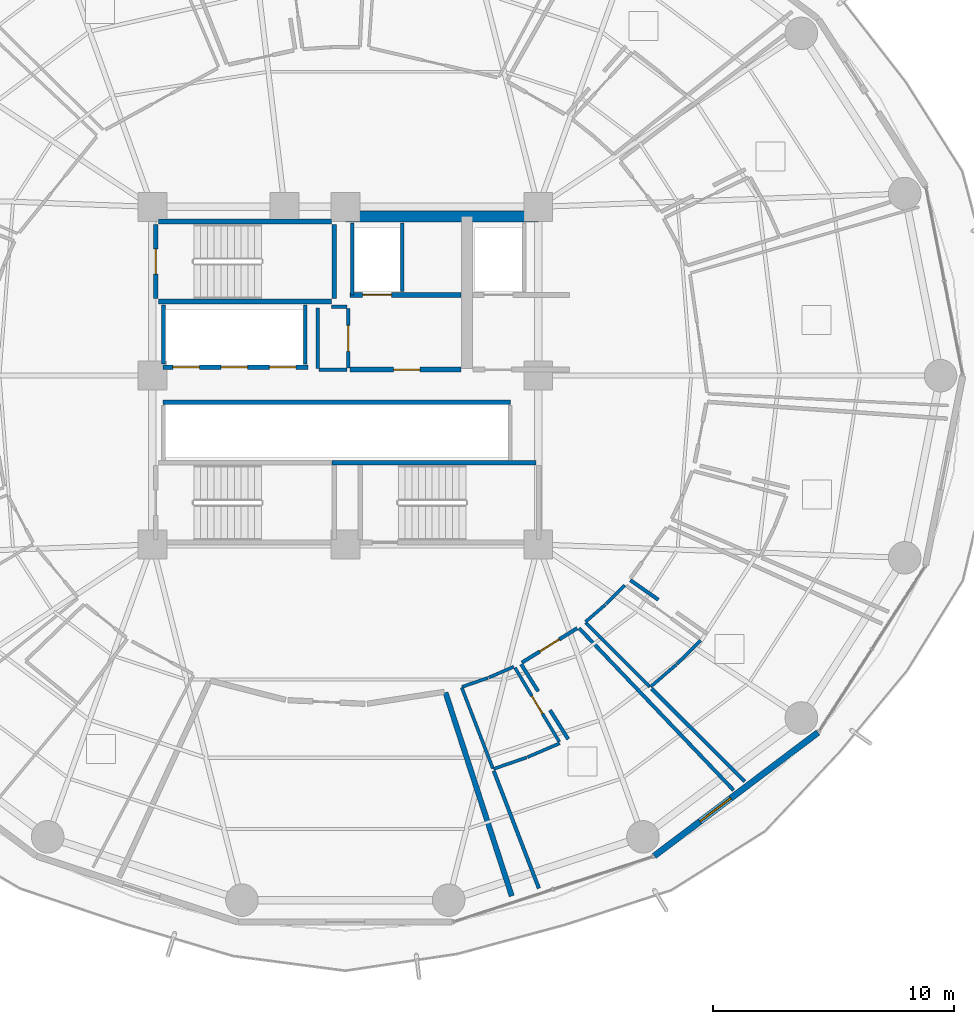
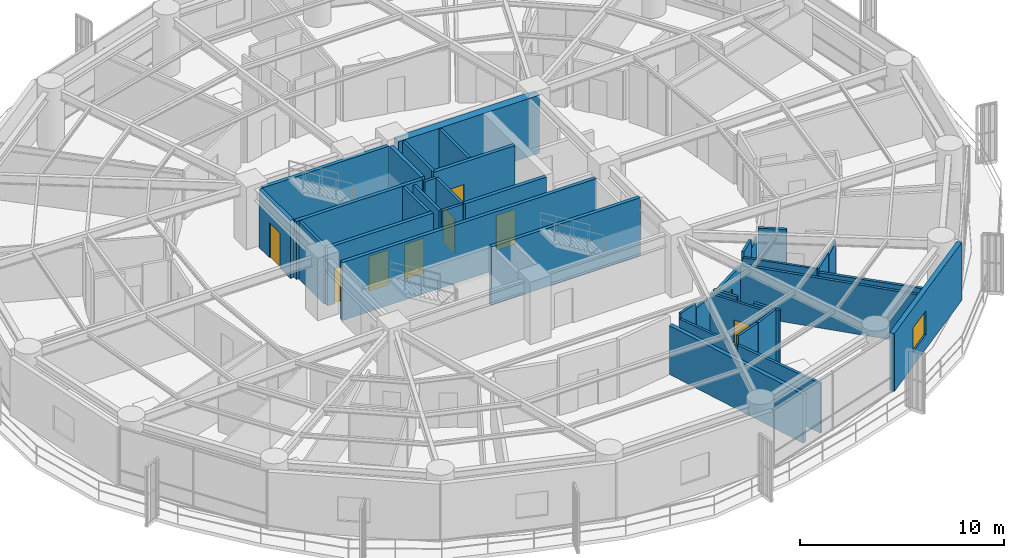
# One storey, part 30 of 37: 38 walls, 9 doors, 1 window, 10 openings.
"""IFC4 building model written with IfcOpenShell, lengths in metres."""

from ifc_helpers import new_model, si_unit, direction, frame, frame_2d, origin, place, context, subcontext, project, spatial, rectangle, extrude, material, layer, layer_set, type_object, element, fill, save


model = new_model("IFC4")

# Units and contexts
model_context = context("Model", 3, precision=1e-05, world=origin(), true_north=direction((0.0, 1.0)))
body_context = subcontext(model_context, "Body", "Model", "MODEL_VIEW")
ifc_project = project(units=[si_unit("LENGTHUNIT", "METRE"), si_unit("AREAUNIT", "SQUARE_METRE"), si_unit("VOLUMEUNIT", "CUBIC_METRE"), si_unit("PLANEANGLEUNIT", "RADIAN"), si_unit("MASSUNIT", "GRAM", prefix="KILO")], contexts=[model_context])

# Site, building, storey
site_placement = place(None, origin())
site = spatial("IfcSite", under=ifc_project, at=site_placement, CompositionType="ELEMENT")
building_placement = place(site_placement, origin())
building = spatial("IfcBuilding", under=site, at=building_placement, Name="Kelanora Arch Commons", CompositionType="ELEMENT")
storey_placement = place(building_placement, frame((0.0, 0.0, 110.10009765625)))
storey = spatial("IfcBuildingStorey", under=building, at=storey_placement, Name="L28", CompositionType="ELEMENT", Elevation=110.10009765625)

# Walls
ifc_material_1 = material(Name="Autoclaved aerated concrete blockwork with fire plaster", Category="masonry")
ifc_layer_1 = layer(ifc_material_1, 0.14990234375)
ifc_layer_set_1 = layer_set([ifc_layer_1], Name="Autoclaved aerated concrete blockwork with fire plaster")
wall_type_1 = type_object("IfcWallType", Name="W-COMP-150", PredefinedType="PARTITIONING", material=ifc_layer_set_1)
wall_1_placement = place(storey_placement, frame((74.280029296875, 61.35009765625, 0.0), z_axis=(0.0, 0.0, 1.0), x_axis=(0.0, 1.0, 0.0)))
element("IfcWall", 1, at=wall_1_placement, inside=storey, type_object=wall_type_1, Name="Firefighting Lift 1 West Shaft Wall L28", PredefinedType="PARTITIONING", context=body_context, shape_type="SweptSolid", body=[
    extrude(rectangle(XDim=2.969970703125, YDim=0.14990234375, at=frame_2d((1.48486328125, 0.0))), origin(), (0.0, 0.0, 1.0), 3.47998046875),
])
wall_2_placement = place(storey_placement, frame((76.360107421875, 61.47998046875, 0.0), z_axis=(0.0, 0.0, 1.0), x_axis=(0.0, 1.0, 0.0)))
element("IfcWall", 2, at=wall_2_placement, inside=storey, type_object=wall_type_1, Name="Firefighting Lift 1 East Shaft Wall L28", PredefinedType="PARTITIONING", context=body_context, shape_type="SweptSolid", body=[
    extrude(rectangle(XDim=2.840087890625, YDim=0.14990234375, at=frame_2d((1.419921875, 0.0))), origin(), (0.0, 0.0, 1.0), 3.47998046875),
])
for number, where, z_axis, x_axis, name in (
    (3, (66.4599609375, 58.47998046875, 0.0), (0.0, 0.0, 1.0), (0.0, 1.0, 0.0), "Low-Rise Lift Bank West Wall L28"),
    (4, (72.340087890625, 58.47998046875, 0.0), (0.0, 0.0, 1.0), (0.0, 1.0, 0.0), "Low-Rise Lift Bank East Wall L28"),
):
    element("IfcWall", number, at=place(storey_placement, frame(where, z_axis=z_axis, x_axis=x_axis)), inside=storey, type_object=wall_type_1, Name=name, PredefinedType="PARTITIONING", context=body_context, shape_type="SweptSolid", body=[
        extrude(rectangle(XDim=2.4599609375, YDim=0.14990234375, at=frame_2d((1.22998046875, 0.0))), origin(), (0.0, 0.0, 1.0), 3.47998046875),
    ])

# Wall, opening, door
wall_3_placement = place(storey_placement, frame((74.1201171875, 58.31005859375, 0.0), z_axis=(0.0, 0.0, 1.0), x_axis=(0.0, 1.0, 0.0)))
wall_3 = element("IfcWall", 5, at=wall_3_placement, inside=storey, type_object=wall_type_1, Name="Core Linen Supply Store L28 Entry Partition", PredefinedType="PARTITIONING", context=body_context, shape_type="SweptSolid", body=[
    extrude(rectangle(XDim=2.47998046875, YDim=0.14990234375, at=frame_2d((1.239990234375, 0.0))), origin(), (0.0, 0.0, 1.0), 3.47998046875),
])
opening_1_placement = place(wall_3_placement, frame((0.699951171875, 0.0, 0.0)))
opening_1 = element("IfcOpeningElement", 6, at=opening_1_placement, cuts=wall_3, Name="Opening D-PLT1", PredefinedType="OPENING", context=body_context, shape_type="SweptSolid", body=[
    extrude(rectangle(XDim=1.080078125, YDim=2.10009765625, at=frame_2d((0.5400390625, 1.050048828125))), frame((0.0, 0.0849609375, 0.0), z_axis=(0.0, -1.0, 0.0), x_axis=(1.0, 0.0, 0.0)), (0.0, 0.0, 1.0), 0.169921875),
])
ifc_material_2 = material(Name="Galvanised steel plant and riser fire door", Category="steel")
door_type_1 = type_object("IfcDoorType", Name="D-PLT-110", OperationType="NOTDEFINED", PredefinedType="DOOR", material=ifc_material_2)
door_1_placement = place(opening_1_placement, origin())
door_1 = element("IfcDoor", 7, at=door_1_placement, inside=storey, type_object=door_type_1, Name="Core Linen Supply Store L28 Door", OperationType="SINGLE_SWING_RIGHT", OverallHeight=2.10009765625, OverallWidth=1.080078125, PredefinedType="DOOR", context=body_context, shape_type="SweptSolid", body=[
    extrude(rectangle(XDim=1.080078125, YDim=2.10009765625, at=frame_2d((0.5400390625, 1.050048828125))), frame((0.0, 0.02490234375, 0.0), z_axis=(0.0, -1.0, 0.0), x_axis=(1.0, 0.0, 0.0)), (0.0, 0.0, 1.0), 0.050048828125),
])
fill(opening_1, door_1)

wall_4_placement = place(storey_placement, frame((81.32080078125, 46.102783203125, 0.0), z_axis=(0.0, 0.0, 1.0), x_axis=(0.849017842519, 0.528364176572, 0.0)))
wall_4 = element("IfcWall", 8, at=wall_4_placement, inside=storey, type_object=wall_type_1, Name="Co-Living Studio L28-01 Entry Partition", PredefinedType="PARTITIONING", context=body_context, shape_type="SweptSolid", body=[
    extrude(rectangle(XDim=2.699951171875, YDim=0.14990234375, at=frame_2d((1.35009765625, 0.0))), origin(), (0.0, 0.0, 1.0), 2.9248046875),
])
opening_2_placement = place(wall_4_placement, frame((0.875, 0.0, 0.0)))
opening_2 = element("IfcOpeningElement", 9, at=opening_2_placement, cuts=wall_4, Name="Opening D-CLU1", PredefinedType="OPENING", context=body_context, shape_type="SweptSolid", body=[
    extrude(rectangle(XDim=0.949951171875, YDim=2.080078125, at=frame_2d((0.47509765625, 1.0400390625))), frame((0.0, 0.0849609375, 0.0), z_axis=(0.0, -1.0, 0.0), x_axis=(1.0, 0.0, 0.0)), (0.0, 0.0, 1.0), 0.169921875),
])
ifc_material_3 = material(Name="Solid-core acoustic timber cluster entry fire door", Category="wood")
door_type_2 = type_object("IfcDoorType", Name="D-CLU-95", OperationType="NOTDEFINED", PredefinedType="DOOR", material=ifc_material_3)
door_2_placement = place(opening_2_placement, origin())
door_2 = element("IfcDoor", 10, at=door_2_placement, inside=storey, type_object=door_type_2, Name="Co-Living Studio L28-01 Door", OperationType="SINGLE_SWING_LEFT", OverallHeight=2.080078125, OverallWidth=0.949951171875, PredefinedType="DOOR", context=body_context, shape_type="SweptSolid", body=[
    extrude(rectangle(XDim=0.949951171875, YDim=2.080078125, at=frame_2d((0.47509765625, 1.0400390625))), frame((0.0, 0.02490234375, 0.0), z_axis=(0.0, -1.0, 0.0), x_axis=(1.0, 0.0, 0.0)), (0.0, 0.0, 1.0), 0.050048828125),
])
fill(opening_2, door_2)

# Walls
wall_5_placement = place(storey_placement, frame((72.89990234375, 58.25, 0.0), z_axis=(0.0, 0.0, 1.0), x_axis=(1.0, 0.0, 0.0)))
element("IfcWall", 11, at=wall_5_placement, inside=storey, type_object=wall_type_1, Name="Core Linen Supply Store L28 Enclosure Partition 1", PredefinedType="PARTITIONING", context=body_context, shape_type="SweptSolid", body=[
    extrude(rectangle(XDim=1.18017578125, YDim=0.14990234375, at=frame_2d((0.590087890625, 0.0))), origin(), (0.0, 0.0, 1.0), 3.47998046875),
])
wall_6_placement = place(storey_placement, frame((74.080078125, 60.85009765625, 0.0), z_axis=(0.0, 0.0, 1.0), x_axis=(-1.0, 0.0, 0.0)))
element("IfcWall", 12, at=wall_6_placement, inside=storey, type_object=wall_type_1, Name="Core Linen Supply Store L28 Enclosure Partition 3", PredefinedType="PARTITIONING", context=body_context, shape_type="SweptSolid", body=[
    extrude(rectangle(XDim=0.66015625, YDim=0.14990234375, at=frame_2d((0.330078125, 0.0))), origin(), (0.0, 0.0, 1.0), 3.47998046875),
])
wall_7_placement = place(storey_placement, frame((72.860107421875, 60.81005859375, 0.0), z_axis=(0.0, 0.0, 1.0), x_axis=(0.0, -1.0, 0.0)))
element("IfcWall", 13, at=wall_7_placement, inside=storey, type_object=wall_type_1, Name="Core Linen Supply Store L28 Enclosure Partition 4", PredefinedType="PARTITIONING", context=body_context, shape_type="SweptSolid", body=[
    extrude(rectangle(XDim=2.52001953125, YDim=0.14990234375, at=frame_2d((1.260009765625, 0.0))), origin(), (0.0, 0.0, 1.0), 3.47998046875),
])
wall_8_placement = place(storey_placement, frame((83.691650390625, 47.531982421875, 0.0), z_axis=(0.0, 0.0, 1.0), x_axis=(0.690037215828, -0.723773887877, 0.0)))
element("IfcWall", 14, at=wall_8_placement, inside=storey, type_object=wall_type_1, Name="Co-Living Studio L28-01 Enclosure Partition 2", PredefinedType="PARTITIONING", context=body_context, shape_type="SweptSolid", body=[
    extrude(rectangle(XDim=9.28466796875, YDim=0.14990234375, at=frame_2d((4.642333984375, 0.0))), origin(), (0.0, 0.0, 1.0), 2.974853515625),
])
wall_9_placement = place(storey_placement, frame((82.026611328125, 36.744384765625, 0.0), z_axis=(0.0, 0.0, 1.0), x_axis=(-0.358828576498, 0.933403477971, 0.0)))
element("IfcWall", 15, at=wall_9_placement, inside=storey, type_object=wall_type_1, Name="Co-Living Studio L28-01 Enclosure Partition 5", PredefinedType="PARTITIONING", context=body_context, shape_type="SweptSolid", body=[
    extrude(rectangle(XDim=5.2177734375, YDim=0.14990234375, at=frame_2d((2.60888671875, 0.0))), origin(), (0.0, 0.0, 1.0), 2.974853515625),
])
wall_10_placement = place(storey_placement, frame((83.24169921875, 42.927978515625, 0.0), z_axis=(0.0, 0.0, 1.0), x_axis=(-0.531370409895, 0.847139591501, 0.0)))
element("IfcWall", 16, at=wall_10_placement, inside=storey, type_object=wall_type_1, Name="Co-Living Studio L28-01 Enclosure Partition 7", PredefinedType="PARTITIONING", context=body_context, shape_type="SweptSolid", body=[
    extrude(rectangle(XDim=1.42333984375, YDim=0.14990234375, at=frame_2d((0.711669921875, 0.0))), origin(), (0.0, 0.0, 1.0), 3.1748046875),
])
wall_11_placement = place(storey_placement, frame((81.996337890625, 44.9130859375, 0.0), z_axis=(0.0, 0.0, 1.0), x_axis=(-0.53138752038, 0.847128858666, 0.0)))
element("IfcWall", 17, at=wall_11_placement, inside=storey, type_object=wall_type_1, Name="Co-Living Studio L28-01 Enclosure Partition 7", PredefinedType="PARTITIONING", context=body_context, shape_type="SweptSolid", body=[
    extrude(rectangle(XDim=1.326904296875, YDim=0.14990234375, at=frame_2d((0.66357421875, 0.0))), origin(), (0.0, 0.0, 1.0), 3.23486328125),
])
wall_12_placement = place(storey_placement, frame((90.561767578125, 41.169189453125, 0.0), z_axis=(0.0, 0.0, 1.0), x_axis=(-0.707642907914, 0.706570247661, 0.0)))
element("IfcWall", 18, at=wall_12_placement, inside=storey, type_object=wall_type_1, Name="Co-Living Studio L28-02 Enclosure Partition 5", PredefinedType="PARTITIONING", context=body_context, shape_type="SweptSolid", body=[
    extrude(rectangle(XDim=5.46240234375, YDim=0.14990234375, at=frame_2d((2.731201171875, 0.0))), origin(), (0.0, 0.0, 1.0), 2.974853515625),
])
wall_13_placement = place(storey_placement, frame((86.97998046875, 48.709716796875, 0.0), z_axis=(0.0, 0.0, 1.0), x_axis=(-0.820381002298, 0.571817288187, 0.0)))
element("IfcWall", 19, at=wall_13_placement, inside=storey, type_object=wall_type_1, Name="Co-Living Studio L28-02 Enclosure Partition 7", PredefinedType="PARTITIONING", context=body_context, shape_type="SweptSolid", body=[
    extrude(rectangle(XDim=1.415283203125, YDim=0.14990234375, at=frame_2d((0.70751953125, 0.0))), origin(), (0.0, 0.0, 1.0), 3.23486328125),
])
ifc_material_4 = material(Name="Concrete C60/75", Category="concrete")
ifc_layer_2 = layer(ifc_material_4, 0.449951171875)
ifc_layer_set_2 = layer_set([ifc_layer_2], Name="Concrete C60/75")
wall_type_2 = type_object("IfcWallType", Name="W-CORE-450", PredefinedType="SHEAR", material=ifc_layer_set_2)
wall_14_placement = place(storey_placement, frame((74.0, 64.60009765625, 0.0), z_axis=(0.0, 0.0, 1.0), x_axis=(1.0, 0.0, 0.0)))
element("IfcWall", 20, at=wall_14_placement, inside=storey, type_object=wall_type_2, Name="Core Shear Spine L28-CN-E", PredefinedType="SHEAR", context=body_context, shape_type="SweptSolid", body=[
    extrude(rectangle(XDim=8.0, YDim=0.449951171875, at=frame_2d((4.0, 0.0))), origin(), (0.0, 0.0, 1.0), 3.489990234375),
])

# Wall, opening, window
ifc_material_5 = material(Name="Precast concrete C40/50 with terracotta rainscreen", Category="masonry")
ifc_layer_3 = layer(ifc_material_5, 0.260009765625)
ifc_layer_set_3 = layer_set([ifc_layer_3], Name="Precast concrete C40/50 with terracotta rainscreen")
wall_type_3 = type_object("IfcWallType", Name="W-EXT-TC", PredefinedType="SOLIDWALL", material=ifc_layer_set_3)
wall_15_placement = place(storey_placement, frame((86.81201171875, 38.09033203125, 0.0), z_axis=(0.0, 0.0, 1.0), x_axis=(0.798501507879, 0.601992808857, 0.0)))
wall_15 = element("IfcWall", 21, at=wall_15_placement, inside=storey, type_object=wall_type_3, Name="Terracotta Exterior Wall L28-B15", PredefinedType="SOLIDWALL", context=body_context, shape_type="SweptSolid", body=[
    extrude(rectangle(XDim=8.499267578125, YDim=0.260009765625, at=frame_2d((4.24951171875, 0.0))), origin(), (0.0, 0.0, 1.0), 3.474853515625),
])
opening_3_placement = place(wall_15_placement, frame((2.3701171875, 0.0, 0.85009765625)))
opening_3 = element("IfcOpeningElement", 22, at=opening_3_placement, cuts=wall_15, Name="Opening WN-01", PredefinedType="OPENING", context=body_context, shape_type="SweptSolid", body=[
    extrude(rectangle(XDim=1.60009765625, YDim=1.449951171875, at=frame_2d((0.800048828125, 0.72509765625))), frame((0.0, 0.14013671875, 0.0), z_axis=(0.0, -1.0, 0.0), x_axis=(1.0, 0.0, 0.0)), (0.0, 0.0, 1.0), 0.280029296875),
])
ifc_material_6 = material(Name="Terracotta-anodised aluminium frame with operable low-E glazing", Category="masonry")
window_type = type_object("IfcWindowType", Name="WIN-CL-18", PartitioningType="DOUBLE_PANEL_VERTICAL", PredefinedType="WINDOW", material=ifc_material_6)
window_placement = place(opening_3_placement, origin())
window = element("IfcWindow", 23, at=window_placement, inside=storey, type_object=window_type, Name="Co-Living Operable Window L28-B15", OverallHeight=1.449951171875, OverallWidth=1.60009765625, PartitioningType="SINGLE_PANEL", PredefinedType="WINDOW", context=body_context, shape_type="SweptSolid", body=[
    extrude(rectangle(XDim=1.60009765625, YDim=1.449951171875, at=frame_2d((0.800048828125, 0.72509765625))), frame((0.0, 0.030029296875, 0.0), z_axis=(0.0, -1.0, 0.0), x_axis=(1.0, 0.0, 0.0)), (0.0, 0.0, 1.0), 0.06005859375),
])
fill(opening_3, window)

# Wall, opening, door
ifc_material_7 = material(Name="Concrete C40/50", Category="concrete")
ifc_layer_4 = layer(ifc_material_7, 0.199951171875)
ifc_layer_set_4 = layer_set([ifc_layer_4], Name="Concrete C40/50")
wall_type_4 = type_object("IfcWallType", Name="W-FFL-200", PredefinedType="SOLIDWALL", material=ifc_layer_set_4)
wall_16_placement = place(storey_placement, frame((74.199951171875, 61.35009765625, 0.0), z_axis=(0.0, 0.0, 1.0), x_axis=(1.0, 0.0, 0.0)))
wall_16 = element("IfcWall", 24, at=wall_16_placement, inside=storey, type_object=wall_type_4, Name="Firefighting Lift 1 Shaft Front L28", PredefinedType="SOLIDWALL", context=body_context, shape_type="SweptSolid", body=[
    extrude(rectangle(XDim=4.60009765625, YDim=0.199951171875, at=frame_2d((2.300048828125, 0.0))), origin(), (0.0, 0.0, 1.0), 3.47998046875),
])
opening_4_placement = place(wall_16_placement, frame((0.52001953125, 0.0, 0.0)))
opening_4 = element("IfcOpeningElement", 25, at=opening_4_placement, cuts=wall_16, Name="Opening LD-FF", PredefinedType="OPENING", context=body_context, shape_type="SweptSolid", body=[
    extrude(rectangle(XDim=1.199951171875, YDim=2.14990234375, at=frame_2d((0.60009765625, 1.074951171875))), frame((0.0, 0.10986328125, 0.0), z_axis=(0.0, -1.0, 0.0), x_axis=(1.0, 0.0, 0.0)), (0.0, 0.0, 1.0), 0.219970703125),
])
ifc_material_8 = material(Name="Fire-rated firefighters lift sliding landing door")
door_type_3 = type_object("IfcDoorType", Name="D-LIFT-FF", OperationType="NOTDEFINED", PredefinedType="DOOR", material=ifc_material_8)
door_3_placement = place(opening_4_placement, origin())
door_3 = element("IfcDoor", 26, at=door_3_placement, inside=storey, type_object=door_type_3, Name="Firefighting Lift LF-FF1 Landing Door L28", OperationType="DOUBLE_DOOR_SLIDING", OverallHeight=2.14990234375, OverallWidth=1.199951171875, PredefinedType="DOOR", context=body_context, shape_type="SweptSolid", body=[
    extrude(rectangle(XDim=1.199951171875, YDim=2.14990234375, at=frame_2d((0.60009765625, 1.074951171875))), frame((0.0, 0.02490234375, 0.0), z_axis=(0.0, -1.0, 0.0), x_axis=(1.0, 0.0, 0.0)), (0.0, 0.0, 1.0), 0.050048828125),
])
fill(opening_4, door_3)

wall_17_placement = place(storey_placement, frame((74.199951171875, 58.25, 0.0), z_axis=(0.0, 0.0, 1.0), x_axis=(1.0, 0.0, 0.0)))
wall_17 = element("IfcWall", 27, at=wall_17_placement, inside=storey, type_object=wall_type_4, Name="Firefighting Lobby 1 Enclosure Wall L28", PredefinedType="SOLIDWALL", context=body_context, shape_type="SweptSolid", body=[
    extrude(rectangle(XDim=4.60009765625, YDim=0.199951171875, at=frame_2d((2.300048828125, 0.0))), origin(), (0.0, 0.0, 1.0), 3.47998046875),
])
opening_5_placement = place(wall_17_placement, frame((1.800048828125, 0.0, 0.0)))
opening_5 = element("IfcOpeningElement", 28, at=opening_5_placement, cuts=wall_17, Name="Opening D-FFL1", PredefinedType="OPENING", context=body_context, shape_type="SweptSolid", body=[
    extrude(rectangle(XDim=1.10009765625, YDim=2.10009765625, at=frame_2d((0.550048828125, 1.050048828125))), frame((0.0, 0.10986328125, 0.0), z_axis=(0.0, -1.0, 0.0), x_axis=(1.0, 0.0, 0.0)), (0.0, 0.0, 1.0), 0.219970703125),
])
ifc_material_9 = material(Name="Smoke-sealed firefighting lobby fire door")
door_type_4 = type_object("IfcDoorType", Name="D-FFL-110", OperationType="NOTDEFINED", PredefinedType="DOOR", material=ifc_material_9)
door_4_placement = place(opening_5_placement, frame((1.10009765625, 0.0, 0.0), z_axis=(0.0, 0.0, 1.0), x_axis=(-1.0, 0.0, 0.0)))
door_4 = element("IfcDoor", 29, at=door_4_placement, inside=storey, type_object=door_type_4, Name="Firefighting Lobby 1 Door L28", OperationType="SINGLE_SWING_LEFT", OverallHeight=2.10009765625, OverallWidth=1.10009765625, PredefinedType="DOOR", context=body_context, shape_type="SweptSolid", body=[
    extrude(rectangle(XDim=1.10009765625, YDim=2.10009765625, at=frame_2d((0.550048828125, 1.050048828125))), frame((0.0, 0.02490234375, 0.0), z_axis=(0.0, -1.0, 0.0), x_axis=(1.0, 0.0, 0.0)), (0.0, 0.0, 1.0), 0.050048828125),
])
fill(opening_5, door_4)

# Wall, openings, doors
wall_18_placement = place(storey_placement, frame((66.449951171875, 58.35009765625, 0.0), z_axis=(0.0, 0.0, 1.0), x_axis=(1.0, 0.0, 0.0)))
wall_18 = element("IfcWall", 30, at=wall_18_placement, inside=storey, type_object=wall_type_4, Name="Low-Rise Passenger Lift Shaft Front L28", PredefinedType="SOLIDWALL", context=body_context, shape_type="SweptSolid", body=[
    extrude(rectangle(XDim=6.0, YDim=0.199951171875, at=frame_2d((3.0, 0.0))), origin(), (0.0, 0.0, 1.0), 3.47998046875),
])
opening_6_placement = place(wall_18_placement, frame((0.39990234375, 0.0, 0.0)))
opening_6 = element("IfcOpeningElement", 31, at=opening_6_placement, cuts=wall_18, Name="Opening LD-01", PredefinedType="OPENING", context=body_context, shape_type="SweptSolid", body=[
    extrude(rectangle(XDim=1.10009765625, YDim=2.10009765625, at=frame_2d((0.550048828125, 1.050048828125))), frame((0.0, 0.10986328125, 0.0), z_axis=(0.0, -1.0, 0.0), x_axis=(1.0, 0.0, 0.0)), (0.0, 0.0, 1.0), 0.219970703125),
])
opening_7_placement = place(wall_18_placement, frame((2.39990234375, 0.0, 0.0)))
opening_7 = element("IfcOpeningElement", 32, at=opening_7_placement, cuts=wall_18, Name="Opening LD-01", PredefinedType="OPENING", context=body_context, shape_type="SweptSolid", body=[
    extrude(rectangle(XDim=1.10009765625, YDim=2.10009765625, at=frame_2d((0.550048828125, 1.050048828125))), frame((0.0, 0.10986328125, 0.0), z_axis=(0.0, -1.0, 0.0), x_axis=(1.0, 0.0, 0.0)), (0.0, 0.0, 1.0), 0.219970703125),
])
opening_8_placement = place(wall_18_placement, frame((4.39990234375, 0.0, 0.0)))
opening_8 = element("IfcOpeningElement", 33, at=opening_8_placement, cuts=wall_18, Name="Opening LD-01", PredefinedType="OPENING", context=body_context, shape_type="SweptSolid", body=[
    extrude(rectangle(XDim=1.10009765625, YDim=2.10009765625, at=frame_2d((0.550048828125, 1.050048828125))), frame((0.0, 0.10986328125, 0.0), z_axis=(0.0, -1.0, 0.0), x_axis=(1.0, 0.0, 0.0)), (0.0, 0.0, 1.0), 0.219970703125),
])
ifc_material_10 = material(Name="Stainless steel passenger lift sliding landing door", Category="steel")
door_type_5 = type_object("IfcDoorType", Name="D-LIFT-110", OperationType="NOTDEFINED", PredefinedType="DOOR", material=ifc_material_10)
door_5_placement = place(opening_6_placement, origin())
door_5 = element("IfcDoor", 34, at=door_5_placement, inside=storey, type_object=door_type_5, Name="Passenger Lift LF-P1 Landing Door L28", OperationType="DOUBLE_DOOR_SLIDING", OverallHeight=2.10009765625, OverallWidth=1.10009765625, PredefinedType="DOOR", context=body_context, shape_type="SweptSolid", body=[
    extrude(rectangle(XDim=1.10009765625, YDim=2.10009765625, at=frame_2d((0.550048828125, 1.050048828125))), frame((0.0, 0.02490234375, 0.0), z_axis=(0.0, -1.0, 0.0), x_axis=(1.0, 0.0, 0.0)), (0.0, 0.0, 1.0), 0.050048828125),
])
fill(opening_6, door_5)
door_6_placement = place(opening_7_placement, origin())
door_6 = element("IfcDoor", 35, at=door_6_placement, inside=storey, type_object=door_type_5, Name="Passenger Lift LF-P2 Landing Door L28", OperationType="DOUBLE_DOOR_SLIDING", OverallHeight=2.10009765625, OverallWidth=1.10009765625, PredefinedType="DOOR", context=body_context, shape_type="SweptSolid", body=[
    extrude(rectangle(XDim=1.10009765625, YDim=2.10009765625, at=frame_2d((0.550048828125, 1.050048828125))), frame((0.0, 0.02490234375, 0.0), z_axis=(0.0, -1.0, 0.0), x_axis=(1.0, 0.0, 0.0)), (0.0, 0.0, 1.0), 0.050048828125),
])
fill(opening_7, door_6)
door_7_placement = place(opening_8_placement, origin())
door_7 = element("IfcDoor", 36, at=door_7_placement, inside=storey, type_object=door_type_5, Name="Passenger Lift LF-P3 Landing Door L28", OperationType="DOUBLE_DOOR_SLIDING", OverallHeight=2.10009765625, OverallWidth=1.10009765625, PredefinedType="DOOR", context=body_context, shape_type="SweptSolid", body=[
    extrude(rectangle(XDim=1.10009765625, YDim=2.10009765625, at=frame_2d((0.550048828125, 1.050048828125))), frame((0.0, 0.02490234375, 0.0), z_axis=(0.0, -1.0, 0.0), x_axis=(1.0, 0.0, 0.0)), (0.0, 0.0, 1.0), 0.050048828125),
])
fill(opening_8, door_7)

# Walls
wall_19_placement = place(storey_placement, frame((66.449951171875, 56.89990234375, 0.0), z_axis=(0.0, 0.0, 1.0), x_axis=(1.0, 0.0, 0.0)))
element("IfcWall", 37, at=wall_19_placement, inside=storey, type_object=wall_type_4, Name="Mid/High/Express Lift Shaft Front L28", PredefinedType="SOLIDWALL", context=body_context, shape_type="SweptSolid", body=[
    extrude(rectangle(XDim=14.400146484375, YDim=0.199951171875, at=frame_2d((7.2001953125, 0.0))), origin(), (0.0, 0.0, 1.0), 3.47998046875),
])
ifc_layer_5 = layer(ifc_material_7, 0.219970703125)
ifc_layer_set_5 = layer_set([ifc_layer_5], Name="Concrete C40/50")
wall_type_5 = type_object("IfcWallType", Name="W-REF-200", PredefinedType="SOLIDWALL", material=ifc_layer_set_5)
wall_20_placement = place(storey_placement, frame((78.155517578125, 44.860107421875, 0.0), z_axis=(0.0, 0.0, 1.0), x_axis=(0.309595310809, -0.950868415463, 0.0)))
element("IfcWall", 38, at=wall_20_placement, inside=storey, type_object=wall_type_5, Name="Two-Hour Fire Refuge Holding Room L28 Enclosure Partition 4", PredefinedType="SOLIDWALL", context=body_context, shape_type="SweptSolid", body=[
    extrude(rectangle(XDim=8.86669921875, YDim=0.219970703125, at=frame_2d((4.433349609375, 0.0))), origin(), (0.0, 0.0, 1.0), 2.9248046875),
])
ifc_layer_6 = layer(ifc_material_7, 0.199951171875)
ifc_layer_set_6 = layer_set([ifc_layer_6], Name="Concrete C40/50")
wall_type_6 = type_object("IfcWallType", Name="W-STAIR-200", PredefinedType="SHEAR", material=ifc_layer_set_6)
wall_21_placement = place(storey_placement, frame((66.260009765625, 61.080078125, 0.0), z_axis=(0.0, 0.0, 1.0), x_axis=(1.0, 0.0, 0.0)))
element("IfcWall", 39, at=wall_21_placement, inside=storey, type_object=wall_type_6, Name="Stair ST-T1 Shaft Wall S L28", PredefinedType="SHEAR", context=body_context, shape_type="SweptSolid", body=[
    extrude(rectangle(XDim=7.159912109375, YDim=0.199951171875, at=frame_2d((3.580078125, 0.0))), origin(), (0.0, 0.0, 1.0), 3.489990234375),
])
wall_22_placement = place(storey_placement, frame((73.5400390625, 61.199951171875, 0.0), z_axis=(0.0, 0.0, 1.0), x_axis=(0.0, 1.0, 0.0)))
element("IfcWall", 40, at=wall_22_placement, inside=storey, type_object=wall_type_6, Name="Stair ST-T1 Shaft Wall E L28", PredefinedType="SHEAR", context=body_context, shape_type="SweptSolid", body=[
    extrude(rectangle(XDim=3.070068359375, YDim=0.199951171875, at=frame_2d((1.53515625, 0.0))), origin(), (0.0, 0.0, 1.0), 3.489990234375),
])
wall_23_placement = place(storey_placement, frame((73.419921875, 64.389892578125, 0.0), z_axis=(0.0, 0.0, 1.0), x_axis=(-1.0, 0.0, 0.0)))
element("IfcWall", 41, at=wall_23_placement, inside=storey, type_object=wall_type_6, Name="Stair ST-T1 Shaft Wall N L28", PredefinedType="SHEAR", context=body_context, shape_type="SweptSolid", body=[
    extrude(rectangle(XDim=7.159912109375, YDim=0.199951171875, at=frame_2d((3.580078125, 0.0))), origin(), (0.0, 0.0, 1.0), 3.489990234375),
])

# Wall, opening, door
wall_24_placement = place(storey_placement, frame((66.139892578125, 64.27001953125, 0.0), z_axis=(0.0, 0.0, 1.0), x_axis=(0.0, -1.0, 0.0)))
wall_24 = element("IfcWall", 42, at=wall_24_placement, inside=storey, type_object=wall_type_6, Name="Stair ST-T1 Shaft Wall W L28", PredefinedType="SHEAR", context=body_context, shape_type="SweptSolid", body=[
    extrude(rectangle(XDim=3.070068359375, YDim=0.199951171875, at=frame_2d((1.53515625, 0.0))), origin(), (0.0, 0.0, 1.0), 3.489990234375),
])
opening_9_placement = place(wall_24_placement, frame((1.010009765625, 0.0, 0.0)))
opening_9 = element("IfcOpeningElement", 43, at=opening_9_placement, cuts=wall_24, Name="Opening D-ST1", PredefinedType="OPENING", context=body_context, shape_type="SweptSolid", body=[
    extrude(rectangle(XDim=1.050048828125, YDim=2.10009765625, at=frame_2d((0.52490234375, 1.050048828125))), frame((0.0, 0.10986328125, 0.0), z_axis=(0.0, -1.0, 0.0), x_axis=(1.0, 0.0, 0.0)), (0.0, 0.0, 1.0), 0.219970703125),
])
ifc_material_11 = material(Name="Steel fire-rated stairwell escape door", Category="steel")
door_type_6 = type_object("IfcDoorType", Name="D-STAIR-110", OperationType="NOTDEFINED", PredefinedType="DOOR", material=ifc_material_11)
door_8_placement = place(opening_9_placement, origin())
door_8 = element("IfcDoor", 44, at=door_8_placement, inside=storey, type_object=door_type_6, Name="Stair ST-T1 Escape Door L28", OperationType="SINGLE_SWING_LEFT", OverallHeight=2.10009765625, OverallWidth=1.050048828125, PredefinedType="DOOR", context=body_context, shape_type="SweptSolid", body=[
    extrude(rectangle(XDim=1.050048828125, YDim=2.10009765625, at=frame_2d((0.52490234375, 1.050048828125))), frame((0.0, 0.02490234375, 0.0), z_axis=(0.0, -1.0, 0.0), x_axis=(1.0, 0.0, 0.0)), (0.0, 0.0, 1.0), 0.050048828125),
])
fill(opening_9, door_8)

# Wall
wall_25_placement = place(storey_placement, frame((81.89990234375, 54.389892578125, 0.0), z_axis=(0.0, 0.0, 1.0), x_axis=(-1.0, 0.0, 0.0)))
element("IfcWall", 45, at=wall_25_placement, inside=storey, type_object=wall_type_6, Name="Stair ST-T2 Shaft Wall N L28", PredefinedType="SHEAR", context=body_context, shape_type="SweptSolid", body=[
    extrude(rectangle(XDim=8.4599609375, YDim=0.199951171875, at=frame_2d((4.22998046875, 0.0))), origin(), (0.0, 0.0, 1.0), 3.489990234375),
])

# Wall, opening, door
ifc_material_12 = material(Name="Moisture-resistant fire-rated cement-board plumbing wall")
ifc_layer_7 = layer(ifc_material_12, 0.1298828125)
ifc_layer_set_7 = layer_set([ifc_layer_7], Name="Moisture-resistant fire-rated cement-board plumbing wall")
wall_type_7 = type_object("IfcWallType", Name="W-WET-120", PredefinedType="PLUMBINGWALL", material=ifc_layer_set_7)
wall_26_placement = place(storey_placement, frame((81.035888671875, 45.889404296875, 0.0), z_axis=(0.0, 0.0, 1.0), x_axis=(0.513583206277, -0.858039795249, 0.0)))
wall_26 = element("IfcWall", 46, at=wall_26_placement, inside=storey, type_object=wall_type_7, Name="En-Suite Shower WC L28-01 Entry Partition", PredefinedType="PLUMBINGWALL", context=body_context, shape_type="SweptSolid", body=[
    extrude(rectangle(XDim=3.581298828125, YDim=0.1298828125, at=frame_2d((1.79052734375, 0.0))), origin(), (0.0, 0.0, 1.0), 3.1748046875),
])
opening_10_placement = place(wall_26_placement, frame((1.361083984375, 0.0, 0.0)))
opening_10 = element("IfcOpeningElement", 47, at=opening_10_placement, cuts=wall_26, Name="Opening D-BT1", PredefinedType="OPENING", context=body_context, shape_type="SweptSolid", body=[
    extrude(rectangle(XDim=0.860107421875, YDim=2.050048828125, at=frame_2d((0.43017578125, 1.02490234375))), frame((0.0, 0.074951171875, 0.0), z_axis=(0.0, -1.0, 0.0), x_axis=(1.0, 0.0, 0.0)), (0.0, 0.0, 1.0), 0.14990234375),
])
ifc_material_13 = material(Name="Moisture-sealed fire-rated accessible bathroom door")
door_type_7 = type_object("IfcDoorType", Name="D-BATH-85", OperationType="NOTDEFINED", PredefinedType="DOOR", material=ifc_material_13)
door_9_placement = place(opening_10_placement, origin())
door_9 = element("IfcDoor", 48, at=door_9_placement, inside=storey, type_object=door_type_7, Name="En-Suite Shower WC L28-01 Door", OperationType="SINGLE_SWING_RIGHT", OverallHeight=2.050048828125, OverallWidth=0.860107421875, PredefinedType="DOOR", context=body_context, shape_type="SweptSolid", body=[
    extrude(rectangle(XDim=0.860107421875, YDim=2.050048828125, at=frame_2d((0.43017578125, 1.02490234375))), frame((0.0, 0.02490234375, 0.0), z_axis=(0.0, -1.0, 0.0), x_axis=(1.0, 0.0, 0.0)), (0.0, 0.0, 1.0), 0.050048828125),
])
fill(opening_10, door_9)

# Walls
wall_27_placement = place(storey_placement, frame((78.837890625, 45.0966796875, 0.0), z_axis=(0.0, 0.0, 1.0), x_axis=(0.94463296612, 0.328128876084, 0.0)))
element("IfcWall", 49, at=wall_27_placement, inside=storey, type_object=wall_type_7, Name="En-Suite Shower WC L28-01 Enclosure Partition 1", PredefinedType="PLUMBINGWALL", context=body_context, shape_type="SweptSolid", body=[
    extrude(rectangle(XDim=1.13623046875, YDim=0.1298828125, at=frame_2d((0.568115234375, 0.0))), origin(), (0.0, 0.0, 1.0), 3.23486328125),
])
wall_28_placement = place(storey_placement, frame((79.948486328125, 45.48388671875, 0.0), z_axis=(0.0, 0.0, 1.0), x_axis=(0.917754995973, 0.397147034946, 0.0)))
element("IfcWall", 50, at=wall_28_placement, inside=storey, type_object=wall_type_7, Name="En-Suite Shower WC L28-01 Enclosure Partition 2", PredefinedType="PLUMBINGWALL", context=body_context, shape_type="SweptSolid", body=[
    extrude(rectangle(XDim=1.131103515625, YDim=0.1298828125, at=frame_2d((0.5654296875, 0.0))), origin(), (0.0, 0.0, 1.0), 2.9248046875),
])
wall_29_placement = place(storey_placement, frame((82.8876953125, 42.757080078125, 0.0), z_axis=(0.0, 0.0, 1.0), x_axis=(-0.918751832311, -0.394835498183, 0.0)))
element("IfcWall", 51, at=wall_29_placement, inside=storey, type_object=wall_type_7, Name="En-Suite Shower WC L28-01 Enclosure Partition 4", PredefinedType="PLUMBINGWALL", context=body_context, shape_type="SweptSolid", body=[
    extrude(rectangle(XDim=1.447021484375, YDim=0.1298828125, at=frame_2d((0.7236328125, 0.0))), origin(), (0.0, 0.0, 1.0), 3.47998046875),
])
wall_30_placement = place(storey_placement, frame((81.52099609375, 42.17138671875, 0.0), z_axis=(0.0, 0.0, 1.0), x_axis=(-0.94522127907, -0.326430289025, 0.0)))
element("IfcWall", 52, at=wall_30_placement, inside=storey, type_object=wall_type_7, Name="En-Suite Shower WC L28-01 Enclosure Partition 5", PredefinedType="PLUMBINGWALL", context=body_context, shape_type="SweptSolid", body=[
    extrude(rectangle(XDim=1.45458984375, YDim=0.1298828125, at=frame_2d((0.727294921875, 0.0))), origin(), (0.0, 0.0, 1.0), 3.47998046875),
])
wall_31_placement = place(storey_placement, frame((80.119873046875, 41.708740234375, 0.0), z_axis=(0.0, 0.0, 1.0), x_axis=(-0.359078976073, 0.933307178233, 0.0)))
element("IfcWall", 53, at=wall_31_placement, inside=storey, type_object=wall_type_7, Name="En-Suite Shower WC L28-01 Enclosure Partition 6", PredefinedType="PLUMBINGWALL", context=body_context, shape_type="SweptSolid", body=[
    extrude(rectangle(XDim=3.602783203125, YDim=0.1298828125, at=frame_2d((1.80126953125, 0.0))), origin(), (0.0, 0.0, 1.0), 2.9248046875),
])
wall_32_placement = place(storey_placement, frame((83.95703125, 47.791015625, 0.0), z_axis=(0.0, 0.0, 1.0), x_axis=(0.755718391314, 0.654896719361, 0.0)))
element("IfcWall", 54, at=wall_32_placement, inside=storey, type_object=wall_type_7, Name="En-Suite Shower WC L28-02 Enclosure Partition 1", PredefinedType="PLUMBINGWALL", context=body_context, shape_type="SweptSolid", body=[
    extrude(rectangle(XDim=1.099365234375, YDim=0.1298828125, at=frame_2d((0.5498046875, 0.0))), origin(), (0.0, 0.0, 1.0), 3.47998046875),
])
wall_33_placement = place(storey_placement, frame((84.81689453125, 48.5380859375, 0.0), z_axis=(0.0, 0.0, 1.0), x_axis=(0.701824632831, 0.712349762934, 0.0)))
element("IfcWall", 55, at=wall_33_placement, inside=storey, type_object=wall_type_7, Name="En-Suite Shower WC L28-02 Enclosure Partition 2", PredefinedType="PLUMBINGWALL", context=body_context, shape_type="SweptSolid", body=[
    extrude(rectangle(XDim=1.09033203125, YDim=0.1298828125, at=frame_2d((0.545166015625, 0.0))), origin(), (0.0, 0.0, 1.0), 2.9248046875),
])
wall_34_placement = place(storey_placement, frame((88.72998046875, 47.03173828125, 0.0), z_axis=(0.0, 0.0, 1.0), x_axis=(-0.704030727822, -0.71016951095, 0.0)))
element("IfcWall", 56, at=wall_34_placement, inside=storey, type_object=wall_type_7, Name="En-Suite Shower WC L28-02 Enclosure Partition 4", PredefinedType="PLUMBINGWALL", context=body_context, shape_type="SweptSolid", body=[
    extrude(rectangle(XDim=1.391845703125, YDim=0.1298828125, at=frame_2d((0.69580078125, 0.0))), origin(), (0.0, 0.0, 1.0), 2.9248046875),
])
wall_35_placement = place(storey_placement, frame((87.720703125, 46.01611328125, 0.0), z_axis=(0.0, 0.0, 1.0), x_axis=(-0.757978890822, -0.652279082194, 0.0)))
element("IfcWall", 57, at=wall_35_placement, inside=storey, type_object=wall_type_7, Name="En-Suite Shower WC L28-02 Enclosure Partition 5", PredefinedType="PLUMBINGWALL", context=body_context, shape_type="SweptSolid", body=[
    extrude(rectangle(XDim=1.404296875, YDim=0.1298828125, at=frame_2d((0.7021484375, 0.0))), origin(), (0.0, 0.0, 1.0), 3.1748046875),
])
wall_36_placement = place(storey_placement, frame((86.626708984375, 45.10107421875, 0.0), z_axis=(0.0, 0.0, 1.0), x_axis=(-0.708109515667, 0.706102622727, 0.0)))
element("IfcWall", 58, at=wall_36_placement, inside=storey, type_object=wall_type_7, Name="En-Suite Shower WC L28-02 Enclosure Partition 6", PredefinedType="PLUMBINGWALL", context=body_context, shape_type="SweptSolid", body=[
    extrude(rectangle(XDim=3.771240234375, YDim=0.1298828125, at=frame_2d((1.8857421875, 0.0))), origin(), (0.0, 0.0, 1.0), 3.1748046875),
])

save(model, "model.ifc")
